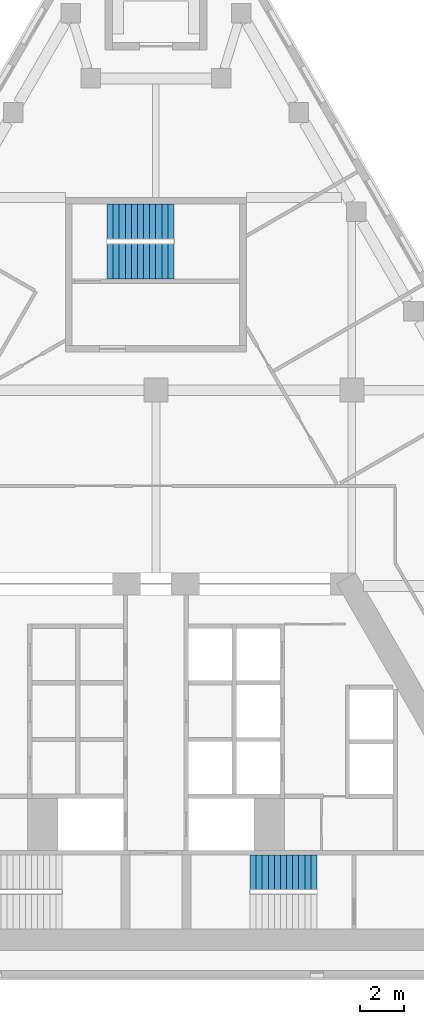
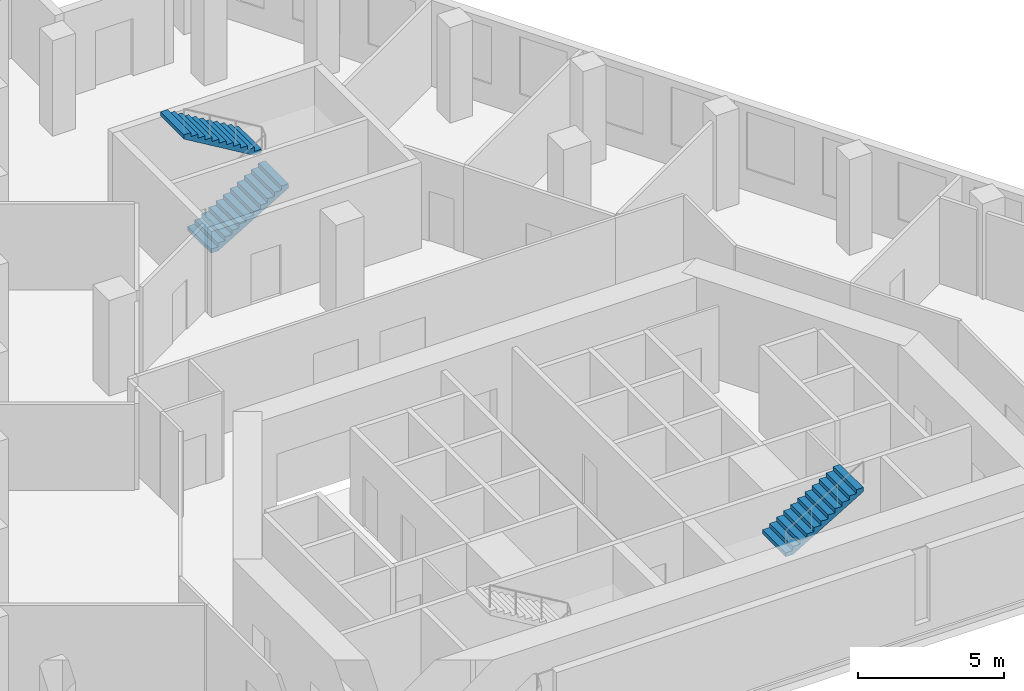
# One storey, part 7 of 8: 3 stair flights, 2 elements without a shape of their own.
"""IFC4 building model written with IfcOpenShell, lengths in metres."""

from ifc_helpers import new_model, si_unit, direction, frame, origin, place, context, subcontext, project, spatial, polyline, outline, extrude, material, type_object, element, aggregate, save


model = new_model("IFC4")

# Units and contexts
model_context = context("Model", 3, precision=1e-05, world=origin(), true_north=direction((0.0, 1.0)))
body_context = subcontext(model_context, "Body", "Model", "MODEL_VIEW")
ifc_project = project(units=[si_unit("LENGTHUNIT", "METRE"), si_unit("AREAUNIT", "SQUARE_METRE"), si_unit("VOLUMEUNIT", "CUBIC_METRE"), si_unit("PLANEANGLEUNIT", "RADIAN"), si_unit("MASSUNIT", "GRAM", prefix="KILO")], contexts=[model_context])

# Site, building, storey
site_placement = place(None, origin())
site = spatial("IfcSite", under=ifc_project, at=site_placement, CompositionType="ELEMENT")
building_placement = place(site_placement, origin())
building = spatial("IfcBuilding", under=site, at=building_placement, Name="Fogline Exchange Tower", CompositionType="ELEMENT")
storey_placement = place(building_placement, frame((0.0, 0.0, 239.5)))
storey = spatial("IfcBuildingStorey", under=building, at=storey_placement, Name="L54", CompositionType="ELEMENT", Elevation=239.5)

# Stair, stair flight
ifc_material = material(Name="Concrete C40", Category="concrete")
stair_type = type_object("IfcStairType", Name="STR24-1667", PredefinedType="HALF_TURN_STAIR", material=ifc_material)
stair_1_placement = place(storey_placement, origin())
stair_1 = element("IfcStair", 1, at=stair_1_placement, inside=storey, type_object=stair_type, Name="Stair ST2", PredefinedType="HALF_TURN_STAIR")
stair_flight_type = type_object("IfcStairFlightType", Name="SF12-1667", PredefinedType="STRAIGHT", material=ifc_material)
stair_flight_1_placement = place(storey_placement, frame((4.320068359375, 4.85009765625, 2.0), z_axis=(0.0, 0.0, 1.0), x_axis=(1.0, 0.0, 0.0)))
stair_flight_1 = element("IfcStairFlight", 2, at=stair_flight_1_placement, type_object=stair_flight_type, Name="ST2 flight 2", NumberOfRisers=12, NumberOfTreads=11, PredefinedType="STRAIGHT", RiserHeight=0.166666667, TreadLength=0.28, context=body_context, shape_type="SweptSolid", body=[
    extrude(outline(polyline([(0.0, 0.0), (0.0, 0.166748046875), (0.280029296875, 0.166748046875), (0.280029296875, 0.333251953125), (0.56005859375, 0.333251953125), (0.56005859375, 0.5), (0.840087890625, 0.5), (0.840087890625, 0.666748046875), (1.1201171875, 0.666748046875), (1.1201171875, 0.833251953125), (1.39990234375, 0.833251953125), (1.39990234375, 1.0), (1.679931640625, 1.0), (1.679931640625, 1.166748046875), (1.9599609375, 1.166748046875), (1.9599609375, 1.333251953125), (2.239990234375, 1.333251953125), (2.239990234375, 1.5), (2.52001953125, 1.5), (2.52001953125, 1.666748046875), (2.800048828125, 1.666748046875), (2.800048828125, 1.833251953125), (3.080078125, 1.833251953125), (3.080078125, 2.0), (3.080078125, 1.658935546875), (0.29296875, 0.0), (0.0, 0.0)])), frame((0.0, 0.800048828125, 0.0), z_axis=(0.0, -1.0, 0.0), x_axis=(1.0, 0.0, 0.0)), (0.0, 0.0, 1.0), 1.60009765625),
])
aggregate(stair_1, [stair_flight_1])

# Stair, stair flights
stair_2_placement = place(storey_placement, origin())
stair_2 = element("IfcStair", 3, at=stair_2_placement, inside=storey, type_object=stair_type, Name="Stair ST3", PredefinedType="HALF_TURN_STAIR")
stair_flight_2_placement = place(storey_placement, frame((-2.25, 32.906982421875, 0.0), z_axis=(0.0, 0.0, 1.0), x_axis=(1.0, 0.0, 0.0)))
stair_flight_2 = element("IfcStairFlight", 4, at=stair_flight_2_placement, type_object=stair_flight_type, Name="ST3 flight 1", NumberOfRisers=12, NumberOfTreads=11, PredefinedType="STRAIGHT", RiserHeight=0.166666667, TreadLength=0.28, context=body_context, shape_type="SweptSolid", body=[
    extrude(outline(polyline([(0.0, 0.0), (0.0, 0.166748046875), (0.280029296875, 0.166748046875), (0.280029296875, 0.333251953125), (0.56005859375, 0.333251953125), (0.56005859375, 0.5), (0.840087890625, 0.5), (0.840087890625, 0.666748046875), (1.1201171875, 0.666748046875), (1.1201171875, 0.833251953125), (1.39990234375, 0.833251953125), (1.39990234375, 1.0), (1.679931640625, 1.0), (1.679931640625, 1.166748046875), (1.9599609375, 1.166748046875), (1.9599609375, 1.333251953125), (2.239990234375, 1.333251953125), (2.239990234375, 1.5), (2.52001953125, 1.5), (2.52001953125, 1.666748046875), (2.800048828125, 1.666748046875), (2.800048828125, 1.833251953125), (3.080078125, 1.833251953125), (3.080078125, 2.0), (3.080078125, 1.658935546875), (0.29296875, 0.0), (0.0, 0.0)])), frame((0.0, 0.800048828125, 0.0), z_axis=(0.0, -1.0, 0.0), x_axis=(1.0, 0.0, 0.0)), (0.0, 0.0, 1.0), 1.60009765625),
])
stair_flight_3_placement = place(storey_placement, frame((0.830078125, 34.757080078125, 2.0), z_axis=(0.0, 0.0, 1.0), x_axis=(-1.0, 0.0, 0.0)))
stair_flight_3 = element("IfcStairFlight", 5, at=stair_flight_3_placement, type_object=stair_flight_type, Name="ST3 flight 2", NumberOfRisers=12, NumberOfTreads=11, PredefinedType="STRAIGHT", RiserHeight=0.166666667, TreadLength=0.28, context=body_context, shape_type="SweptSolid", body=[
    extrude(outline(polyline([(0.0, 0.0), (0.0, 0.166748046875), (0.280029296875, 0.166748046875), (0.280029296875, 0.333251953125), (0.56005859375, 0.333251953125), (0.56005859375, 0.5), (0.840087890625, 0.5), (0.840087890625, 0.666748046875), (1.1201171875, 0.666748046875), (1.1201171875, 0.833251953125), (1.39990234375, 0.833251953125), (1.39990234375, 1.0), (1.679931640625, 1.0), (1.679931640625, 1.166748046875), (1.9599609375, 1.166748046875), (1.9599609375, 1.333251953125), (2.239990234375, 1.333251953125), (2.239990234375, 1.5), (2.52001953125, 1.5), (2.52001953125, 1.666748046875), (2.800048828125, 1.666748046875), (2.800048828125, 1.833251953125), (3.080078125, 1.833251953125), (3.080078125, 2.0), (3.080078125, 1.658935546875), (0.29296875, 0.0), (0.0, 0.0)])), frame((0.0, 0.800048828125, 0.0), z_axis=(0.0, -1.0, 0.0), x_axis=(1.0, 0.0, 0.0)), (0.0, 0.0, 1.0), 1.60009765625),
])
aggregate(stair_2, [stair_flight_2, stair_flight_3])

save(model, "model.ifc")
